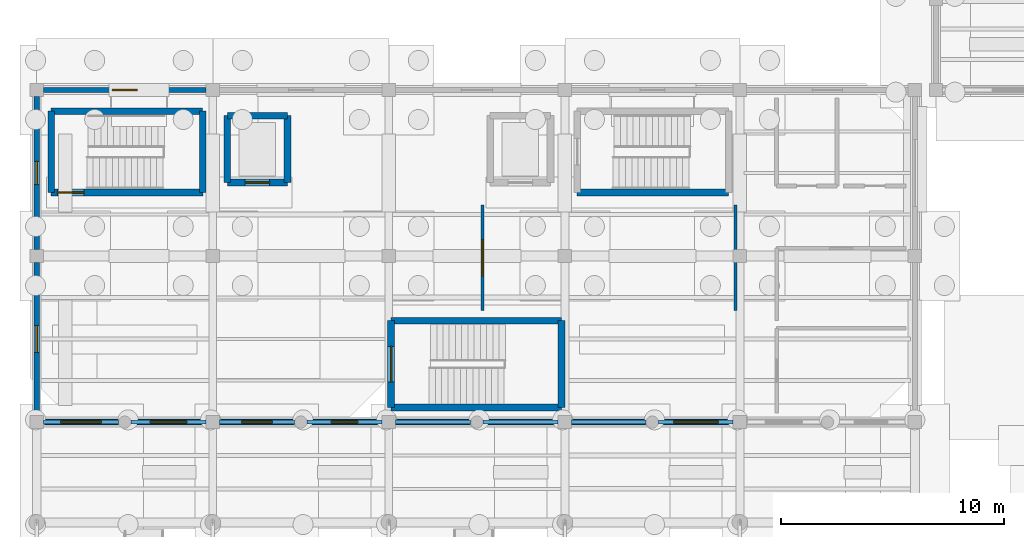
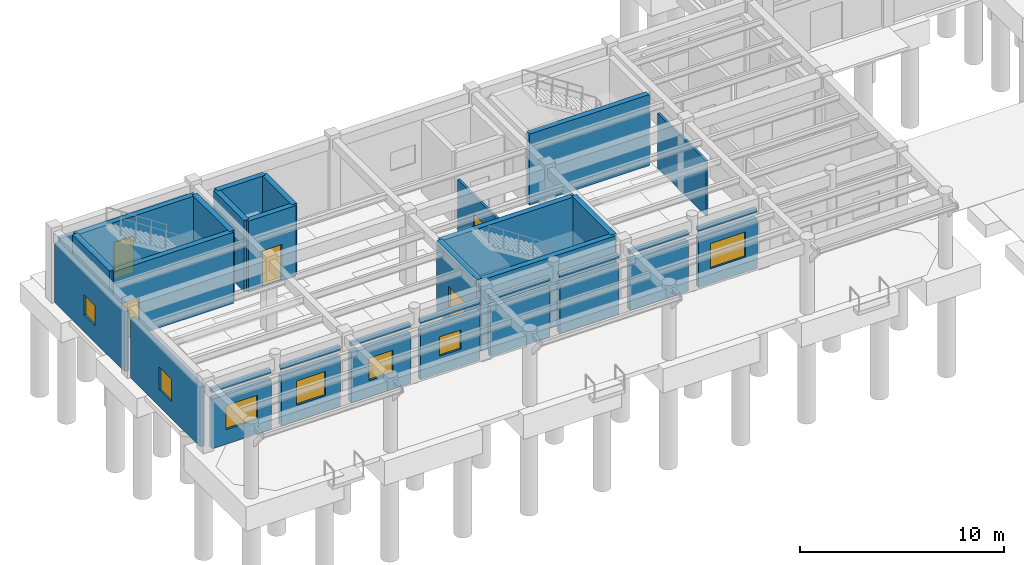
# One storey, part 27 of 41: 34 walls, 7 windows, 5 doors, 12 openings.
"""IFC4 building model written with IfcOpenShell, lengths in metres."""

from ifc_helpers import new_model, si_unit, direction, frame, frame_2d, origin, place, context, subcontext, project, spatial, rectangle, extrude, material, layer, layer_set, type_object, element, fill, save


model = new_model("IFC4")

# Units and contexts
model_context = context("Model", 3, precision=1e-05, world=origin(), true_north=direction((0.0, 1.0)))
body_context = subcontext(model_context, "Body", "Model", "MODEL_VIEW")
ifc_project = project(units=[si_unit("LENGTHUNIT", "METRE"), si_unit("AREAUNIT", "SQUARE_METRE"), si_unit("VOLUMEUNIT", "CUBIC_METRE"), si_unit("PLANEANGLEUNIT", "RADIAN"), si_unit("MASSUNIT", "GRAM", prefix="KILO")], contexts=[model_context])

# Site, building, storey
site_placement = place(None, origin())
site = spatial("IfcSite", under=ifc_project, at=site_placement, CompositionType="ELEMENT")
building_placement = place(site_placement, origin())
building = spatial("IfcBuilding", under=site, at=building_placement, Name="Candilejo Ridge Gondola Terminal", CompositionType="ELEMENT")
storey_placement = place(building_placement, origin())
storey = spatial("IfcBuildingStorey", under=building, at=storey_placement, Name="L00", CompositionType="ELEMENT", Elevation=0.0)

# Walls
ifc_material_1 = material(Name="Concrete C20/25 masonry blockwork (f'm 14 MPa)", Category="masonry")
ifc_layer_1 = layer(ifc_material_1, 0.195068359375)
ifc_layer_set_1 = layer_set([ifc_layer_1], Name="ARC-EXT-WALL-195")
wall_type_1 = type_object("IfcWallType", Name="ARC-EXT-WALL-195", PredefinedType="STANDARD", material=ifc_layer_set_1)
for number, where, z_axis, x_axis, name in (
    (1, (7.969970703125, 10.800048828125, 3.35009765625), (0.0, 0.0, 1.0), (-1.0, 0.0, 0.0), "Upper lintel spandrel wall V1 L00-003"),
    (2, (11.89990234375, 10.800048828125, 3.35009765625), (0.0, 0.0, 1.0), (-1.0, 0.0, 0.0), "Upper lintel spandrel wall V1 L00-005"),
):
    element("IfcWall", number, at=place(storey_placement, frame(where, z_axis=z_axis, x_axis=x_axis)), inside=storey, type_object=wall_type_1, Name=name, PredefinedType="STANDARD", context=body_context, shape_type="SweptSolid", body=[
        extrude(rectangle(XDim=3.369873046875, YDim=0.195068359375, at=frame_2d((1.68505859375, 0.0))), origin(), (0.0, 0.0, 1.0), 0.22998046875),
    ])
for number, where, z_axis, x_axis, name in (
    (3, (15.8701171875, 10.800048828125, 3.35009765625), (0.0, 0.0, 1.0), (-1.0, 0.0, 0.0), "Upper lintel spandrel wall V1 L00-008"),
    (4, (19.800048828125, 10.800048828125, 3.35009765625), (0.0, 0.0, 1.0), (-1.0, 0.0, 0.0), "Upper lintel spandrel wall V1 L00-010"),
    (5, (23.77001953125, 10.800048828125, 3.35009765625), (0.0, 0.0, 1.0), (-1.0, 0.0, 0.0), "Upper lintel spandrel wall V1 L00-013"),
):
    element("IfcWall", number, at=place(storey_placement, frame(where, z_axis=z_axis, x_axis=x_axis)), inside=storey, type_object=wall_type_1, Name=name, PredefinedType="STANDARD", context=body_context, shape_type="SweptSolid", body=[
        extrude(rectangle(XDim=3.3701171875, YDim=0.195068359375, at=frame_2d((1.68505859375, 0.0))), origin(), (0.0, 0.0, 1.0), 0.22998046875),
    ])
wall_1_placement = place(storey_placement, frame((27.699951171875, 10.800048828125, 3.35009765625), z_axis=(0.0, 0.0, 1.0), x_axis=(-1.0, 0.0, 0.0)))
element("IfcWall", 6, at=wall_1_placement, inside=storey, type_object=wall_type_1, Name="Upper lintel spandrel wall V1 L00-015", PredefinedType="STANDARD", context=body_context, shape_type="SweptSolid", body=[
    extrude(rectangle(XDim=3.369873046875, YDim=0.195068359375, at=frame_2d((1.68505859375, 0.0))), origin(), (0.0, 0.0, 1.0), 0.22998046875),
])
wall_2_placement = place(storey_placement, frame((31.639892578125, 10.800048828125, 3.35009765625), z_axis=(0.0, 0.0, 1.0), x_axis=(-1.0, 0.0, 0.0)))
element("IfcWall", 7, at=wall_2_placement, inside=storey, type_object=wall_type_1, Name="Upper lintel spandrel wall V1 L00-018", PredefinedType="STANDARD", context=body_context, shape_type="SweptSolid", body=[
    extrude(rectangle(XDim=3.33984375, YDim=0.195068359375, at=frame_2d((1.669921875, 0.0))), origin(), (0.0, 0.0, 1.0), 0.22998046875),
])
wall_3_placement = place(storey_placement, frame((35.550048828125, 10.800048828125, 3.35009765625), z_axis=(0.0, 0.0, 1.0), x_axis=(-1.0, 0.0, 0.0)))
element("IfcWall", 8, at=wall_3_placement, inside=storey, type_object=wall_type_1, Name="Upper lintel spandrel wall V1 L00-020", PredefinedType="STANDARD", context=body_context, shape_type="SweptSolid", body=[
    extrude(rectangle(XDim=3.35009765625, YDim=0.195068359375, at=frame_2d((1.675048828125, 0.0))), origin(), (0.0, 0.0, 1.0), 0.22998046875),
])

# Wall, opening, door
ifc_material_2 = material(Name="Concrete C20/25 masonry blockwork (f'm 14 MPa)", Category="masonry")
ifc_layer_2 = layer(ifc_material_2, 0.219970703125)
ifc_layer_set_2 = layer_set([ifc_layer_2], Name="ARC-EXT-WALL-220")
wall_type_2 = type_object("IfcWallType", Name="ARC-EXT-WALL-220", PredefinedType="STANDARD", material=ifc_layer_set_2)
wall_4_placement = place(storey_placement, frame((4.60009765625, 25.699951171875, 0.0), z_axis=(0.0, 0.0, 1.0), x_axis=(1.0, 0.0, 0.0)))
wall_4 = element("IfcWall", 9, at=wall_4_placement, inside=storey, type_object=wall_type_2, Name="Exterior facade wall EW-V1-L00-006", PredefinedType="STANDARD", context=body_context, shape_type="SweptSolid", body=[
    extrude(rectangle(XDim=7.2998046875, YDim=0.219970703125, at=frame_2d((3.64990234375, 0.0))), origin(), (0.0, 0.0, 1.0), 3.580078125),
])
opening_1_placement = place(wall_4_placement, frame((3.10009765625, 0.0, 0.0)))
opening_1 = element("IfcOpeningElement", 10, at=opening_1_placement, cuts=wall_4, Name="Opening ED-03", PredefinedType="OPENING", context=body_context, shape_type="SweptSolid", body=[
    extrude(rectangle(XDim=1.10009765625, YDim=2.199951171875, at=frame_2d((0.550048828125, 1.10009765625))), frame((0.0, 0.119873046875, 0.0), z_axis=(0.0, -1.0, 0.0), x_axis=(1.0, 0.0, 0.0)), (0.0, 0.0, 1.0), 0.239990234375),
])
ifc_material_3 = material(Name="Anodised aluminium AA 6063-T6", Category="aluminium")
door_type_1 = type_object("IfcDoorType", Name="ARC-DOOR-EXT-SGL-1100", OperationType="NOTDEFINED", PredefinedType="DOOR", material=ifc_material_3)
door_1_placement = place(opening_1_placement, origin())
door_1 = element("IfcDoor", 11, at=door_1_placement, inside=storey, type_object=door_type_1, Name="Exterior door EDR-001", OperationType="SINGLE_SWING_LEFT", OverallHeight=2.199951171875, OverallWidth=1.10009765625, PredefinedType="DOOR", context=body_context, shape_type="SweptSolid", body=[
    extrude(rectangle(XDim=1.10009765625, YDim=2.199951171875, at=frame_2d((0.550048828125, 1.10009765625))), frame((0.0, 0.02490234375, 0.0), z_axis=(0.0, -1.0, 0.0), x_axis=(1.0, 0.0, 0.0)), (0.0, 0.0, 1.0), 0.050048828125),
])
fill(opening_1, door_1)

# Wall, opening, window
ifc_material_4 = material(Name="Cream Guayaquil limestone ashlar masonry (f'm 14 MPa)", Category="masonry")
ifc_layer_3 = layer(ifc_material_4, 0.25)
ifc_layer_set_3 = layer_set([ifc_layer_3], Name="ARC-EXT-WALL-250")
wall_type_3 = type_object("IfcWallType", Name="ARC-EXT-WALL-250", PredefinedType="STANDARD", material=ifc_layer_set_3)
wall_5_placement = place(storey_placement, frame((4.300048828125, 11.10009765625, 0.0), z_axis=(0.0, 0.0, 1.0), x_axis=(0.0, 1.0, 0.0)))
wall_5 = element("IfcWall", 12, at=wall_5_placement, inside=storey, type_object=wall_type_3, Name="Exterior facade wall EW-V1-L00-027", PredefinedType="STANDARD", context=body_context, shape_type="SweptSolid", body=[
    extrude(rectangle(XDim=6.849853515625, YDim=0.25, at=frame_2d((3.4248046875, 0.0))), origin(), (0.0, 0.0, 1.0), 3.580078125),
])
opening_2_placement = place(wall_5_placement, frame((2.824951171875, 0.0, 1.0)))
opening_2 = element("IfcOpeningElement", 13, at=opening_2_placement, cuts=wall_5, Name="Opening WN-04", PredefinedType="OPENING", context=body_context, shape_type="SweptSolid", body=[
    extrude(rectangle(XDim=1.199951171875, YDim=1.35009765625, at=frame_2d((0.60009765625, 0.675048828125))), frame((0.0, 0.135009765625, 0.0), z_axis=(0.0, -1.0, 0.0), x_axis=(1.0, 0.0, 0.0)), (0.0, 0.0, 1.0), 0.27001953125),
])
ifc_material_5 = material(Name="Low-E laminated double glazing 6+12A+6+1.52PVB+6 mm", Category="glass")
window_type_1 = type_object("IfcWindowType", Name="ARC-WIN-1200X1350", PartitioningType="SINGLE_PANEL", PredefinedType="WINDOW", material=ifc_material_5)
window_1_placement = place(opening_2_placement, origin())
window_1 = element("IfcWindow", 14, at=window_1_placement, inside=storey, type_object=window_type_1, Name="Window WIN-010", OverallHeight=1.35009765625, OverallWidth=1.199951171875, PartitioningType="SINGLE_PANEL", PredefinedType="WINDOW", context=body_context, shape_type="SweptSolid", body=[
    extrude(rectangle(XDim=1.199951171875, YDim=1.35009765625, at=frame_2d((0.60009765625, 0.675048828125))), frame((0.0, 0.030029296875, 0.0), z_axis=(0.0, -1.0, 0.0), x_axis=(1.0, 0.0, 0.0)), (0.0, 0.0, 1.0), 0.06005859375),
])
fill(opening_2, window_1)

wall_6_placement = place(storey_placement, frame((4.300048828125, 18.550048828125, 0.0), z_axis=(0.0, 0.0, 1.0), x_axis=(0.0, 1.0, 0.0)))
wall_6 = element("IfcWall", 15, at=wall_6_placement, inside=storey, type_object=wall_type_3, Name="Exterior facade wall EW-V1-L00-029", PredefinedType="STANDARD", context=body_context, shape_type="SweptSolid", body=[
    extrude(rectangle(XDim=6.849853515625, YDim=0.25, at=frame_2d((3.4248046875, 0.0))), origin(), (0.0, 0.0, 1.0), 3.580078125),
])
opening_3_placement = place(wall_6_placement, frame((2.89990234375, 0.0, 1.02001953125)))
opening_3 = element("IfcOpeningElement", 16, at=opening_3_placement, cuts=wall_6, Name="Opening WN-04C", PredefinedType="OPENING", context=body_context, shape_type="SweptSolid", body=[
    extrude(rectangle(XDim=1.050048828125, YDim=1.199951171875, at=frame_2d((0.52490234375, 0.60009765625))), frame((0.0, 0.135009765625, 0.0), z_axis=(0.0, -1.0, 0.0), x_axis=(1.0, 0.0, 0.0)), (0.0, 0.0, 1.0), 0.27001953125),
])
ifc_material_6 = material(Name="Low-E laminated double glazing 6+12A+6+1.52PVB+6 mm", Category="glass")
window_type_2 = type_object("IfcWindowType", Name="ARC-WIN-1050X1200", PartitioningType="SINGLE_PANEL", PredefinedType="WINDOW", material=ifc_material_6)
window_2_placement = place(opening_3_placement, origin())
window_2 = element("IfcWindow", 17, at=window_2_placement, inside=storey, type_object=window_type_2, Name="Window WIN-011", OverallHeight=1.199951171875, OverallWidth=1.050048828125, PartitioningType="SINGLE_PANEL", PredefinedType="WINDOW", context=body_context, shape_type="SweptSolid", body=[
    extrude(rectangle(XDim=1.050048828125, YDim=1.199951171875, at=frame_2d((0.52490234375, 0.60009765625))), frame((0.0, 0.030029296875, 0.0), z_axis=(0.0, -1.0, 0.0), x_axis=(1.0, 0.0, 0.0)), (0.0, 0.0, 1.0), 0.06005859375),
])
fill(opening_3, window_2)

ifc_material_7 = material(Name="Cream Guayaquil limestone ashlar masonry (f'm 14 MPa)", Category="masonry")
ifc_layer_4 = layer(ifc_material_7, 0.264892578125)
ifc_layer_set_4 = layer_set([ifc_layer_4], Name="ARC-EXT-WALL-265")
wall_type_4 = type_object("IfcWallType", Name="ARC-EXT-WALL-265", PredefinedType="STANDARD", material=ifc_layer_set_4)
wall_7_placement = place(storey_placement, frame((11.89990234375, 10.800048828125, 0.0), z_axis=(0.0, 0.0, 1.0), x_axis=(-1.0, 0.0, 0.0)))
wall_7 = element("IfcWall", 18, at=wall_7_placement, inside=storey, type_object=wall_type_4, Name="Exterior facade wall EW-V1-L00-004", PredefinedType="STANDARD", context=body_context, shape_type="SweptSolid", body=[
    extrude(rectangle(XDim=3.369873046875, YDim=0.264892578125, at=frame_2d((1.68505859375, 0.0))), origin(), (0.0, 0.0, 1.0), 2.985107421875),
])
opening_4_placement = place(wall_7_placement, frame((0.860107421875, 0.0, 0.949951171875)))
opening_4 = element("IfcOpeningElement", 19, at=opening_4_placement, cuts=wall_7, Name="Opening WN-02C", PredefinedType="OPENING", context=body_context, shape_type="SweptSolid", body=[
    extrude(rectangle(XDim=1.64990234375, YDim=1.449951171875, at=frame_2d((0.824951171875, 0.72509765625))), frame((0.0, 0.142333984375, 0.0), z_axis=(0.0, -1.0, 0.0), x_axis=(1.0, 0.0, 0.0)), (0.0, 0.0, 1.0), 0.284912109375),
])
ifc_material_8 = material(Name="Low-E laminated double glazing 6+12A+6+1.52PVB+6 mm", Category="glass")
window_type_3 = type_object("IfcWindowType", Name="ARC-WIN-1650X1450", PartitioningType="SINGLE_PANEL", PredefinedType="WINDOW", material=ifc_material_8)
window_3_placement = place(opening_4_placement, origin())
window_3 = element("IfcWindow", 20, at=window_3_placement, inside=storey, type_object=window_type_3, Name="Window WIN-002", OverallHeight=1.449951171875, OverallWidth=1.64990234375, PartitioningType="SINGLE_PANEL", PredefinedType="WINDOW", context=body_context, shape_type="SweptSolid", body=[
    extrude(rectangle(XDim=1.64990234375, YDim=1.449951171875, at=frame_2d((0.824951171875, 0.72509765625))), frame((0.0, 0.030029296875, 0.0), z_axis=(0.0, -1.0, 0.0), x_axis=(1.0, 0.0, 0.0)), (0.0, 0.0, 1.0), 0.06005859375),
])
fill(opening_4, window_3)

wall_8_placement = place(storey_placement, frame((19.800048828125, 10.800048828125, 0.0), z_axis=(0.0, 0.0, 1.0), x_axis=(-1.0, 0.0, 0.0)))
wall_8 = element("IfcWall", 21, at=wall_8_placement, inside=storey, type_object=wall_type_4, Name="Exterior facade wall EW-V1-L00-009", PredefinedType="STANDARD", context=body_context, shape_type="SweptSolid", body=[
    extrude(rectangle(XDim=3.3701171875, YDim=0.264892578125, at=frame_2d((1.68505859375, 0.0))), origin(), (0.0, 0.0, 1.0), 2.985107421875),
])
opening_5_placement = place(wall_8_placement, frame((1.0849609375, 0.0, 1.050048828125)))
opening_5 = element("IfcOpeningElement", 22, at=opening_5_placement, cuts=wall_8, Name="Opening WN-04B", PredefinedType="OPENING", context=body_context, shape_type="SweptSolid", body=[
    extrude(rectangle(XDim=1.199951171875, YDim=1.14990234375, at=frame_2d((0.60009765625, 0.574951171875))), frame((0.0, 0.142333984375, 0.0), z_axis=(0.0, -1.0, 0.0), x_axis=(1.0, 0.0, 0.0)), (0.0, 0.0, 1.0), 0.284912109375),
])
ifc_material_9 = material(Name="Low-E laminated double glazing 6+12A+6+1.52PVB+6 mm", Category="glass")
window_type_4 = type_object("IfcWindowType", Name="ARC-WIN-1200X1150", PartitioningType="SINGLE_PANEL", PredefinedType="WINDOW", material=ifc_material_9)
window_4_placement = place(opening_5_placement, origin())
window_4 = element("IfcWindow", 23, at=window_4_placement, inside=storey, type_object=window_type_4, Name="Window WIN-004", OverallHeight=1.14990234375, OverallWidth=1.199951171875, PartitioningType="SINGLE_PANEL", PredefinedType="WINDOW", context=body_context, shape_type="SweptSolid", body=[
    extrude(rectangle(XDim=1.199951171875, YDim=1.14990234375, at=frame_2d((0.60009765625, 0.574951171875))), frame((0.0, 0.030029296875, 0.0), z_axis=(0.0, -1.0, 0.0), x_axis=(1.0, 0.0, 0.0)), (0.0, 0.0, 1.0), 0.06005859375),
])
fill(opening_5, window_4)

# Wall
wall_9_placement = place(storey_placement, frame((27.699951171875, 10.800048828125, 0.0), z_axis=(0.0, 0.0, 1.0), x_axis=(-1.0, 0.0, 0.0)))
element("IfcWall", 24, at=wall_9_placement, inside=storey, type_object=wall_type_4, Name="Exterior facade wall EW-V1-L00-014", PredefinedType="STANDARD", context=body_context, shape_type="SweptSolid", body=[
    extrude(rectangle(XDim=3.369873046875, YDim=0.264892578125, at=frame_2d((1.68505859375, 0.0))), origin(), (0.0, 0.0, 1.0), 2.985107421875),
])

# Wall, opening, window
wall_10_placement = place(storey_placement, frame((35.550048828125, 10.800048828125, 0.0), z_axis=(0.0, 0.0, 1.0), x_axis=(-1.0, 0.0, 0.0)))
wall_10 = element("IfcWall", 25, at=wall_10_placement, inside=storey, type_object=wall_type_4, Name="Exterior facade wall EW-V1-L00-019", PredefinedType="STANDARD", context=body_context, shape_type="SweptSolid", body=[
    extrude(rectangle(XDim=3.35009765625, YDim=0.264892578125, at=frame_2d((1.675048828125, 0.0))), origin(), (0.0, 0.0, 1.0), 2.985107421875),
])
opening_6_placement = place(wall_10_placement, frame((0.675048828125, 0.0, 0.919921875)))
opening_6 = element("IfcOpeningElement", 26, at=opening_6_placement, cuts=wall_10, Name="Opening WN-01C", PredefinedType="OPENING", context=body_context, shape_type="SweptSolid", body=[
    extrude(rectangle(XDim=2.0, YDim=1.5, at=frame_2d((1.0, 0.75))), frame((0.0, 0.142333984375, 0.0), z_axis=(0.0, -1.0, 0.0), x_axis=(1.0, 0.0, 0.0)), (0.0, 0.0, 1.0), 0.284912109375),
])
ifc_material_10 = material(Name="Low-E laminated double glazing 6+12A+6+1.52PVB+6 mm", Category="glass")
window_type_5 = type_object("IfcWindowType", Name="ARC-WIN-2000X1500", PartitioningType="SINGLE_PANEL", PredefinedType="WINDOW", material=ifc_material_10)
window_5_placement = place(opening_6_placement, origin())
window_5 = element("IfcWindow", 27, at=window_5_placement, inside=storey, type_object=window_type_5, Name="Window WIN-006", OverallHeight=1.5, OverallWidth=2.0, PartitioningType="SINGLE_PANEL", PredefinedType="WINDOW", context=body_context, shape_type="SweptSolid", body=[
    extrude(rectangle(XDim=2.0, YDim=1.5, at=frame_2d((1.0, 0.75))), frame((0.0, 0.030029296875, 0.0), z_axis=(0.0, -1.0, 0.0), x_axis=(1.0, 0.0, 0.0)), (0.0, 0.0, 1.0), 0.06005859375),
])
fill(opening_6, window_5)

ifc_material_11 = material(Name="Cream Guayaquil limestone ashlar masonry (f'm 14 MPa)", Category="masonry")
ifc_layer_5 = layer(ifc_material_11, 0.280029296875)
ifc_layer_set_5 = layer_set([ifc_layer_5], Name="ARC-EXT-WALL-280")
wall_type_5 = type_object("IfcWallType", Name="ARC-EXT-WALL-280", PredefinedType="STANDARD", material=ifc_layer_set_5)
wall_11_placement = place(storey_placement, frame((7.969970703125, 10.800048828125, 0.0), z_axis=(0.0, 0.0, 1.0), x_axis=(-1.0, 0.0, 0.0)))
wall_11 = element("IfcWall", 28, at=wall_11_placement, inside=storey, type_object=wall_type_5, Name="Exterior facade wall EW-V1-L00-002", PredefinedType="STANDARD", context=body_context, shape_type="SweptSolid", body=[
    extrude(rectangle(XDim=3.369873046875, YDim=0.280029296875, at=frame_2d((1.68505859375, 0.0))), origin(), (0.0, 0.0, 1.0), 2.985107421875),
])
opening_7_placement = place(wall_11_placement, frame((0.784912109375, 0.0, 0.8798828125)))
opening_7 = element("IfcOpeningElement", 29, at=opening_7_placement, cuts=wall_11, Name="Opening WN-02", PredefinedType="OPENING", context=body_context, shape_type="SweptSolid", body=[
    extrude(rectangle(XDim=1.800048828125, YDim=1.449951171875, at=frame_2d((0.89990234375, 0.72509765625))), frame((0.0, 0.14990234375, 0.0), z_axis=(0.0, -1.0, 0.0), x_axis=(1.0, 0.0, 0.0)), (0.0, 0.0, 1.0), 0.300048828125),
])
ifc_material_12 = material(Name="Low-E laminated double glazing 6+12A+6+1.52PVB+6 mm", Category="glass")
window_type_6 = type_object("IfcWindowType", Name="ARC-WIN-1800X1650", PartitioningType="SINGLE_PANEL", PredefinedType="WINDOW", material=ifc_material_12)
window_6_placement = place(opening_7_placement, origin())
window_6 = element("IfcWindow", 30, at=window_6_placement, inside=storey, type_object=window_type_6, Name="Window WIN-001", OverallHeight=1.449951171875, OverallWidth=1.800048828125, PartitioningType="SINGLE_PANEL", PredefinedType="WINDOW", context=body_context, shape_type="SweptSolid", body=[
    extrude(rectangle(XDim=1.800048828125, YDim=1.449951171875, at=frame_2d((0.89990234375, 0.72509765625))), frame((0.0, 0.030029296875, 0.0), z_axis=(0.0, -1.0, 0.0), x_axis=(1.0, 0.0, 0.0)), (0.0, 0.0, 1.0), 0.06005859375),
])
fill(opening_7, window_6)

wall_12_placement = place(storey_placement, frame((15.8701171875, 10.800048828125, 0.0), z_axis=(0.0, 0.0, 1.0), x_axis=(-1.0, 0.0, 0.0)))
wall_12 = element("IfcWall", 31, at=wall_12_placement, inside=storey, type_object=wall_type_5, Name="Exterior facade wall EW-V1-L00-007", PredefinedType="STANDARD", context=body_context, shape_type="SweptSolid", body=[
    extrude(rectangle(XDim=3.3701171875, YDim=0.280029296875, at=frame_2d((1.68505859375, 0.0))), origin(), (0.0, 0.0, 1.0), 2.985107421875),
])
opening_8_placement = place(wall_12_placement, frame((1.010009765625, 0.0, 0.97998046875)))
opening_8 = element("IfcOpeningElement", 32, at=opening_8_placement, cuts=wall_12, Name="Opening WN-03C", PredefinedType="OPENING", context=body_context, shape_type="SweptSolid", body=[
    extrude(rectangle(XDim=1.35009765625, YDim=1.35009765625, at=frame_2d((0.675048828125, 0.675048828125))), frame((0.0, 0.14990234375, 0.0), z_axis=(0.0, -1.0, 0.0), x_axis=(1.0, 0.0, 0.0)), (0.0, 0.0, 1.0), 0.300048828125),
])
ifc_material_13 = material(Name="Low-E laminated double glazing 6+12A+6+1.52PVB+6 mm", Category="glass")
window_type_7 = type_object("IfcWindowType", Name="ARC-WIN-1350X1350", PartitioningType="SINGLE_PANEL", PredefinedType="WINDOW", material=ifc_material_13)
window_7_placement = place(opening_8_placement, origin())
window_7 = element("IfcWindow", 33, at=window_7_placement, inside=storey, type_object=window_type_7, Name="Window WIN-003", OverallHeight=1.35009765625, OverallWidth=1.35009765625, PartitioningType="SINGLE_PANEL", PredefinedType="WINDOW", context=body_context, shape_type="SweptSolid", body=[
    extrude(rectangle(XDim=1.35009765625, YDim=1.35009765625, at=frame_2d((0.675048828125, 0.675048828125))), frame((0.0, 0.030029296875, 0.0), z_axis=(0.0, -1.0, 0.0), x_axis=(1.0, 0.0, 0.0)), (0.0, 0.0, 1.0), 0.06005859375),
])
fill(opening_8, window_7)

# Walls
wall_13_placement = place(storey_placement, frame((23.77001953125, 10.800048828125, 0.0), z_axis=(0.0, 0.0, 1.0), x_axis=(-1.0, 0.0, 0.0)))
element("IfcWall", 34, at=wall_13_placement, inside=storey, type_object=wall_type_5, Name="Exterior facade wall EW-V1-L00-012", PredefinedType="STANDARD", context=body_context, shape_type="SweptSolid", body=[
    extrude(rectangle(XDim=3.3701171875, YDim=0.280029296875, at=frame_2d((1.68505859375, 0.0))), origin(), (0.0, 0.0, 1.0), 2.985107421875),
])
wall_14_placement = place(storey_placement, frame((31.639892578125, 10.800048828125, 0.0), z_axis=(0.0, 0.0, 1.0), x_axis=(-1.0, 0.0, 0.0)))
element("IfcWall", 35, at=wall_14_placement, inside=storey, type_object=wall_type_5, Name="Exterior facade wall EW-V1-L00-017", PredefinedType="STANDARD", context=body_context, shape_type="SweptSolid", body=[
    extrude(rectangle(XDim=3.33984375, YDim=0.280029296875, at=frame_2d((1.669921875, 0.0))), origin(), (0.0, 0.0, 1.0), 2.985107421875),
])

# Wall, opening, door
ifc_material_14 = material(Name="Gypsum board Type X acoustic partition (2x15.9 mm)", Category="gypsum")
ifc_layer_6 = layer(ifc_material_14, 0.125)
ifc_layer_set_6 = layer_set([ifc_layer_6], Name="ARC-PART-GYP125")
wall_type_6 = type_object("IfcWallType", Name="ARC-PART-GYP125", PredefinedType="PARTITIONING", material=ifc_layer_set_6)
wall_15_placement = place(storey_placement, frame((24.300048828125, 15.800048828125, 0.0), z_axis=(0.0, 0.0, 1.0), x_axis=(0.0, 1.0, 0.0)))
wall_15 = element("IfcWall", 36, at=wall_15_placement, inside=storey, type_object=wall_type_6, Name="Interior partition PT-V1-L00-0001", PredefinedType="PARTITIONING", context=body_context, shape_type="SweptSolid", body=[
    extrude(rectangle(XDim=4.75, YDim=0.125, at=frame_2d((2.375, 0.0))), origin(), (0.0, 0.0, 1.0), 3.300048828125),
])
opening_9_placement = place(wall_15_placement, frame((1.574951171875, 0.0, 0.0)))
opening_9 = element("IfcOpeningElement", 37, at=opening_9_placement, cuts=wall_15, Name="Opening ID-03", PredefinedType="OPENING", context=body_context, shape_type="SweptSolid", body=[
    extrude(rectangle(XDim=1.60009765625, YDim=2.199951171875, at=frame_2d((0.800048828125, 1.10009765625))), frame((0.0, 0.072509765625, 0.0), z_axis=(0.0, -1.0, 0.0), x_axis=(1.0, 0.0, 0.0)), (0.0, 0.0, 1.0), 0.14501953125),
])
ifc_material_15 = material(Name="Solid-core fire-rated hardwood door leaf", Category="wood")
door_type_2 = type_object("IfcDoorType", Name="ARC-DOOR-DBL-1600", OperationType="NOTDEFINED", PredefinedType="DOOR", material=ifc_material_15)
door_2_placement = place(opening_9_placement, origin())
door_2 = element("IfcDoor", 38, at=door_2_placement, inside=storey, type_object=door_type_2, Name="Interior door IDR-0001 (004)", OperationType="DOUBLE_DOOR_SINGLE_SWING", OverallHeight=2.199951171875, OverallWidth=1.60009765625, PredefinedType="DOOR", context=body_context, shape_type="SweptSolid", body=[
    extrude(rectangle(XDim=1.60009765625, YDim=2.199951171875, at=frame_2d((0.800048828125, 1.10009765625))), frame((0.0, 0.02490234375, 0.0), z_axis=(0.0, -1.0, 0.0), x_axis=(1.0, 0.0, 0.0)), (0.0, 0.0, 1.0), 0.050048828125),
])
fill(opening_9, door_2)

# Wall
wall_16_placement = place(storey_placement, frame((35.64990234375, 15.800048828125, 0.0), z_axis=(0.0, 0.0, 1.0), x_axis=(0.0, 1.0, 0.0)))
element("IfcWall", 39, at=wall_16_placement, inside=storey, type_object=wall_type_6, Name="Interior partition PT-V1-L00-0002", PredefinedType="PARTITIONING", context=body_context, shape_type="SweptSolid", body=[
    extrude(rectangle(XDim=4.75, YDim=0.125, at=frame_2d((2.375, 0.0))), origin(), (0.0, 0.0, 1.0), 3.300048828125),
])

# Wall, opening, door
ifc_material_16 = material(Name="Concrete f'c 35 MPa (C35/45)", Category="concrete")
ifc_layer_7 = layer(ifc_material_16, 0.300048828125)
ifc_layer_set_7 = layer_set([ifc_layer_7], Name="STR-CORE-WALL-300")
wall_type_7 = type_object("IfcWallType", Name="STR-CORE-WALL-300", PredefinedType="SHEAR", material=ifc_layer_set_7)
wall_17_placement = place(storey_placement, frame((11.75, 21.10009765625, 0.0), z_axis=(0.0, 0.0, 1.0), x_axis=(-1.0, 0.0, 0.0)))
wall_17 = element("IfcWall", 40, at=wall_17_placement, inside=storey, type_object=wall_type_7, Name="Core stair shear wall SW-C-V1A-L00-ST-S", PredefinedType="SHEAR", context=body_context, shape_type="SweptSolid", body=[
    extrude(rectangle(XDim=6.800048828125, YDim=0.300048828125, at=frame_2d((3.39990234375, 0.0))), origin(), (0.0, 0.0, 1.0), 4.260009765625),
])
opening_10_placement = place(wall_17_placement, frame((5.320068359375, 0.0, 0.0)))
opening_10 = element("IfcOpeningElement", 41, at=opening_10_placement, cuts=wall_17, Name="Opening FD-01", PredefinedType="OPENING", context=body_context, shape_type="SweptSolid", body=[
    extrude(rectangle(XDim=1.199951171875, YDim=2.199951171875, at=frame_2d((0.60009765625, 1.10009765625))), frame((0.0, 0.159912109375, 0.0), z_axis=(0.0, -1.0, 0.0), x_axis=(1.0, 0.0, 0.0)), (0.0, 0.0, 1.0), 0.320068359375),
])
ifc_material_17 = material(Name="Steel ASTM A653 Grade 33 hollow-metal door", Category="steel")
door_type_3 = type_object("IfcDoorType", Name="ARC-DOOR-FD90-1200", OperationType="NOTDEFINED", PredefinedType="DOOR", material=ifc_material_17)
door_3_placement = place(opening_10_placement, origin())
door_3 = element("IfcDoor", 42, at=door_3_placement, inside=storey, type_object=door_type_3, Name="Fire stair door SDR-001", OperationType="SINGLE_SWING_LEFT", OverallHeight=2.199951171875, OverallWidth=1.199951171875, PredefinedType="DOOR", context=body_context, shape_type="SweptSolid", body=[
    extrude(rectangle(XDim=1.199951171875, YDim=2.199951171875, at=frame_2d((0.60009765625, 1.10009765625))), frame((0.0, 0.02490234375, 0.0), z_axis=(0.0, -1.0, 0.0), x_axis=(1.0, 0.0, 0.0)), (0.0, 0.0, 1.0), 0.050048828125),
])
fill(opening_10, door_3)

# Walls
wall_18_placement = place(storey_placement, frame((4.949951171875, 24.75, 0.0), z_axis=(0.0, 0.0, 1.0), x_axis=(1.0, 0.0, 0.0)))
element("IfcWall", 43, at=wall_18_placement, inside=storey, type_object=wall_type_7, Name="Core stair shear wall SW-C-V1A-L00-ST-N", PredefinedType="SHEAR", context=body_context, shape_type="SweptSolid", body=[
    extrude(rectangle(XDim=6.800048828125, YDim=0.300048828125, at=frame_2d((3.39990234375, 0.0))), origin(), (0.0, 0.0, 1.0), 4.260009765625),
])
for number, where, z_axis, x_axis, name in (
    (44, (4.949951171875, 21.10009765625, 0.0), (0.0, 0.0, 1.0), (0.0, 1.0, 0.0), "Core stair shear wall SW-C-V1A-L00-ST-W"),
    (45, (11.75, 24.75, 0.0), (0.0, 0.0, 1.0), (0.0, -1.0, 0.0), "Core stair shear wall SW-C-V1A-L00-ST-E"),
):
    element("IfcWall", number, at=place(storey_placement, frame(where, z_axis=z_axis, x_axis=x_axis)), inside=storey, type_object=wall_type_7, Name=name, PredefinedType="SHEAR", context=body_context, shape_type="SweptSolid", body=[
        extrude(rectangle(XDim=3.64990234375, YDim=0.300048828125, at=frame_2d((1.824951171875, 0.0))), origin(), (0.0, 0.0, 1.0), 4.260009765625),
    ])

# Wall, opening, door
wall_19_placement = place(storey_placement, frame((12.85009765625, 21.550048828125, 0.0), z_axis=(0.0, 0.0, 1.0), x_axis=(1.0, 0.0, 0.0)))
wall_19 = element("IfcWall", 46, at=wall_19_placement, inside=storey, type_object=wall_type_7, Name="Lift shaft shear wall SW-C-V1A-L00-LF-S", PredefinedType="SHEAR", context=body_context, shape_type="SweptSolid", body=[
    extrude(rectangle(XDim=2.699951171875, YDim=0.300048828125, at=frame_2d((1.35009765625, 0.0))), origin(), (0.0, 0.0, 1.0), 4.260009765625),
])
opening_11_placement = place(wall_19_placement, frame((0.800048828125, 0.0, 0.0)))
opening_11 = element("IfcOpeningElement", 47, at=opening_11_placement, cuts=wall_19, Name="Opening LD-01", PredefinedType="OPENING", context=body_context, shape_type="SweptSolid", body=[
    extrude(rectangle(XDim=1.10009765625, YDim=2.199951171875, at=frame_2d((0.550048828125, 1.10009765625))), frame((0.0, 0.159912109375, 0.0), z_axis=(0.0, -1.0, 0.0), x_axis=(1.0, 0.0, 0.0)), (0.0, 0.0, 1.0), 0.320068359375),
])
ifc_material_18 = material(Name="Brushed stainless steel AISI 316", Category="steel")
door_type_4 = type_object("IfcDoorType", Name="ARC-LIFT-DOOR-1100", OperationType="NOTDEFINED", PredefinedType="DOOR", material=ifc_material_18)
door_4_placement = place(opening_11_placement, origin())
door_4 = element("IfcDoor", 48, at=door_4_placement, inside=storey, type_object=door_type_4, Name="Elevator landing door LDR-001", OperationType="SLIDING_TO_LEFT", OverallHeight=2.199951171875, OverallWidth=1.10009765625, PredefinedType="DOOR", context=body_context, shape_type="SweptSolid", body=[
    extrude(rectangle(XDim=1.10009765625, YDim=2.199951171875, at=frame_2d((0.550048828125, 1.10009765625))), frame((0.0, 0.02490234375, 0.0), z_axis=(0.0, -1.0, 0.0), x_axis=(1.0, 0.0, 0.0)), (0.0, 0.0, 1.0), 0.050048828125),
])
fill(opening_11, door_4)

# Walls
wall_20_placement = place(storey_placement, frame((12.85009765625, 24.550048828125, 0.0), z_axis=(0.0, 0.0, 1.0), x_axis=(1.0, 0.0, 0.0)))
element("IfcWall", 49, at=wall_20_placement, inside=storey, type_object=wall_type_7, Name="Lift shaft shear wall SW-C-V1A-L00-LF-N", PredefinedType="SHEAR", context=body_context, shape_type="SweptSolid", body=[
    extrude(rectangle(XDim=2.699951171875, YDim=0.300048828125, at=frame_2d((1.35009765625, 0.0))), origin(), (0.0, 0.0, 1.0), 4.260009765625),
])
for number, where, z_axis, x_axis, name in (
    (50, (12.85009765625, 21.550048828125, 0.0), (0.0, 0.0, 1.0), (0.0, 1.0, 0.0), "Lift shaft shear wall SW-C-V1A-L00-LF-W"),
    (51, (15.550048828125, 21.550048828125, 0.0), (0.0, 0.0, 1.0), (0.0, 1.0, 0.0), "Lift shaft shear wall SW-C-V1A-L00-LF-E"),
):
    element("IfcWall", number, at=place(storey_placement, frame(where, z_axis=z_axis, x_axis=x_axis)), inside=storey, type_object=wall_type_7, Name=name, PredefinedType="SHEAR", context=body_context, shape_type="SweptSolid", body=[
        extrude(rectangle(XDim=3.0, YDim=0.300048828125, at=frame_2d((1.5, 0.0))), origin(), (0.0, 0.0, 1.0), 4.260009765625),
    ])
wall_21_placement = place(storey_placement, frame((35.35009765625, 21.10009765625, 0.0), z_axis=(0.0, 0.0, 1.0), x_axis=(-1.0, 0.0, 0.0)))
element("IfcWall", 52, at=wall_21_placement, inside=storey, type_object=wall_type_7, Name="Core stair shear wall SW-C-V1B-L00-ST-S", PredefinedType="SHEAR", context=body_context, shape_type="SweptSolid", body=[
    extrude(rectangle(XDim=6.800048828125, YDim=0.300048828125, at=frame_2d((3.39990234375, 0.0))), origin(), (0.0, 0.0, 1.0), 4.260009765625),
])
wall_22_placement = place(storey_placement, frame((20.199951171875, 11.449951171875, 0.0), z_axis=(0.0, 0.0, 1.0), x_axis=(1.0, 0.0, 0.0)))
element("IfcWall", 53, at=wall_22_placement, inside=storey, type_object=wall_type_7, Name="Public stair enclosure wall ST-P01 L00-S", PredefinedType="SHEAR", context=body_context, shape_type="SweptSolid", body=[
    extrude(rectangle(XDim=7.650146484375, YDim=0.300048828125, at=frame_2d((3.8251953125, 0.0))), origin(), (0.0, 0.0, 1.0), 4.260009765625),
])
wall_23_placement = place(storey_placement, frame((27.85009765625, 11.449951171875, 0.0), z_axis=(0.0, 0.0, 1.0), x_axis=(0.0, 1.0, 0.0)))
element("IfcWall", 54, at=wall_23_placement, inside=storey, type_object=wall_type_7, Name="Public stair enclosure wall ST-P01 L00-E", PredefinedType="SHEAR", context=body_context, shape_type="SweptSolid", body=[
    extrude(rectangle(XDim=3.900146484375, YDim=0.300048828125, at=frame_2d((1.9501953125, 0.0))), origin(), (0.0, 0.0, 1.0), 4.260009765625),
])
wall_24_placement = place(storey_placement, frame((20.199951171875, 15.35009765625, 0.0), z_axis=(0.0, 0.0, 1.0), x_axis=(1.0, 0.0, 0.0)))
element("IfcWall", 55, at=wall_24_placement, inside=storey, type_object=wall_type_7, Name="Public stair enclosure wall ST-P01 L00-N", PredefinedType="SHEAR", context=body_context, shape_type="SweptSolid", body=[
    extrude(rectangle(XDim=7.650146484375, YDim=0.300048828125, at=frame_2d((3.8251953125, 0.0))), origin(), (0.0, 0.0, 1.0), 4.260009765625),
])

# Wall, opening, door
wall_25_placement = place(storey_placement, frame((20.199951171875, 11.449951171875, 0.0), z_axis=(0.0, 0.0, 1.0), x_axis=(0.0, 1.0, 0.0)))
wall_25 = element("IfcWall", 56, at=wall_25_placement, inside=storey, type_object=wall_type_7, Name="Public stair enclosure wall ST-P01 L00-W", PredefinedType="SHEAR", context=body_context, shape_type="SweptSolid", body=[
    extrude(rectangle(XDim=3.900146484375, YDim=0.300048828125, at=frame_2d((1.9501953125, 0.0))), origin(), (0.0, 0.0, 1.0), 4.260009765625),
])
opening_12_placement = place(wall_25_placement, frame((1.14990234375, 0.0, 0.0)))
opening_12 = element("IfcOpeningElement", 57, at=opening_12_placement, cuts=wall_25, Name="Opening ID-03", PredefinedType="OPENING", context=body_context, shape_type="SweptSolid", body=[
    extrude(rectangle(XDim=1.60009765625, YDim=2.199951171875, at=frame_2d((0.800048828125, 1.10009765625))), frame((0.0, 0.159912109375, 0.0), z_axis=(0.0, -1.0, 0.0), x_axis=(1.0, 0.0, 0.0)), (0.0, 0.0, 1.0), 0.320068359375),
])
door_5_placement = place(opening_12_placement, origin())
door_5 = element("IfcDoor", 58, at=door_5_placement, inside=storey, type_object=door_type_2, Name="Public stair concourse portal ST-P01-L00", OperationType="DOUBLE_DOOR_SINGLE_SWING", OverallHeight=2.199951171875, OverallWidth=1.60009765625, PredefinedType="DOOR", context=body_context, shape_type="SweptSolid", body=[
    extrude(rectangle(XDim=1.60009765625, YDim=2.199951171875, at=frame_2d((0.800048828125, 1.10009765625))), frame((0.0, 0.02490234375, 0.0), z_axis=(0.0, -1.0, 0.0), x_axis=(1.0, 0.0, 0.0)), (0.0, 0.0, 1.0), 0.050048828125),
])
fill(opening_12, door_5)

save(model, "model.ifc")
